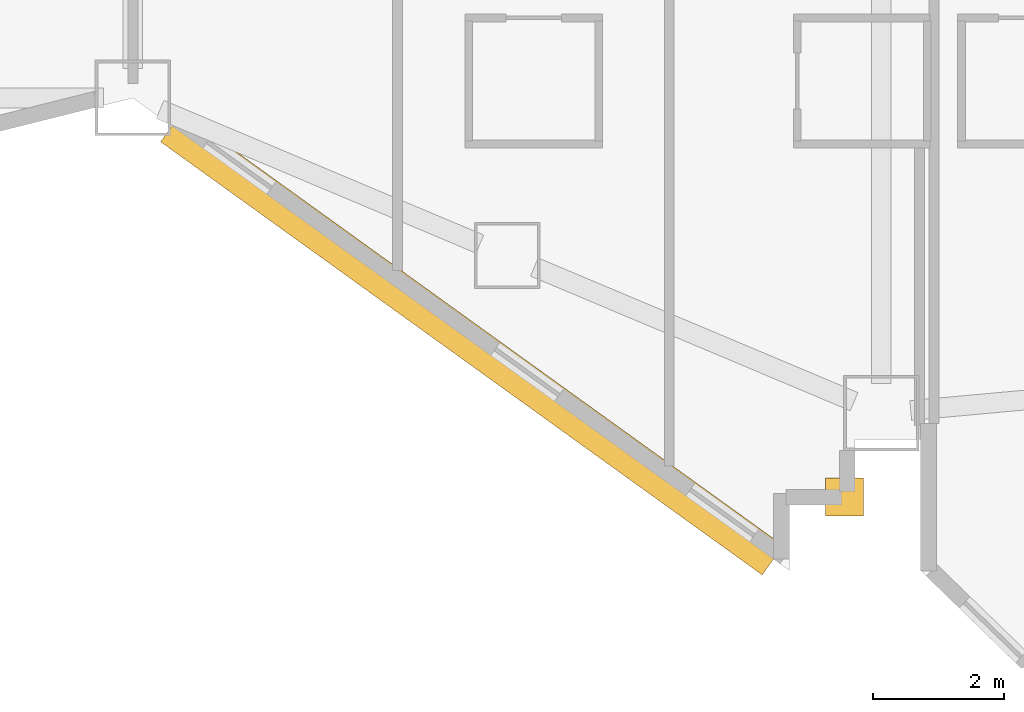
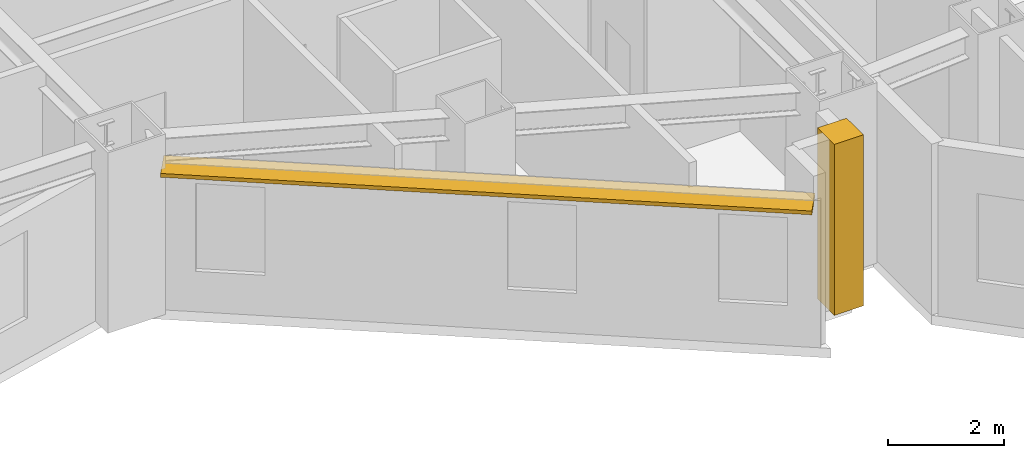
# One storey, part 16 of 18: 1 covering, 1 shading device.
"""IFC4 building model written with IfcOpenShell, lengths in metres."""

from ifc_helpers import new_model, si_unit, direction, frame, origin, origin_2d, place, context, subcontext, project, spatial, rectangle, extrude, material, layer, layer_set, type_object, element, save


model = new_model("IFC4")

# Units and contexts
model_context = context("Model", 3, precision=1e-05, world=origin(), true_north=direction((0.0, 1.0)))
body_context = subcontext(model_context, "Body", "Model", "MODEL_VIEW")
ifc_project = project(units=[si_unit("LENGTHUNIT", "METRE"), si_unit("AREAUNIT", "SQUARE_METRE"), si_unit("VOLUMEUNIT", "CUBIC_METRE"), si_unit("PLANEANGLEUNIT", "RADIAN"), si_unit("MASSUNIT", "GRAM", prefix="KILO")], contexts=[model_context])

# Site, building, storey
site_placement = place(None, origin())
site = spatial("IfcSite", under=ifc_project, at=site_placement, CompositionType="ELEMENT")
building_placement = place(site_placement, origin())
building = spatial("IfcBuilding", under=site, at=building_placement, Name="Haolan Belvedere Tower", CompositionType="ELEMENT")
storey_placement = place(building_placement, frame((0.0, 0.0, 51.39990234375)))
storey = spatial("IfcBuildingStorey", under=building, at=storey_placement, Name="L12", CompositionType="ELEMENT", Elevation=51.39990234375)

# Covering
ifc_material_1 = material(Name="Pale champagne-silver anodised aluminium rainscreen cladding", Category="aluminium")
ifc_layer_1 = layer(ifc_material_1, 0.034912109375, Name="Pale champagne-silver anodised aluminium rainscreen cladding")
ifc_layer_set_1 = layer_set([ifc_layer_1], Name="Pale champagne-silver anodised aluminium rainscreen cladding")
covering_type = type_object("IfcCoveringType", Name="COV-CLAD-35", PredefinedType="CLADDING", material=ifc_layer_set_1)
covering_placement = place(storey_placement, frame((63.637451171875, 15.52001953125, 0.0), z_axis=(0.0, 0.0, 1.0), x_axis=(1.0, 0.0, 0.0)))
element("IfcCovering", 1, at=covering_placement, inside=storey, type_object=covering_type, Name="L12 pale-metal serrated corner cladding trim 4", PredefinedType="CLADDING", context=body_context, shape_type="SweptSolid", body=[
    extrude(rectangle(XDim=0.580078125, YDim=0.580078125, at=origin_2d()), origin(), (0.0, 0.0, 1.0), 3.60009765625),
])

# Shading device
ifc_material_2 = material(Name="Anodised champagne-silver aluminium 6063-T6", Category="aluminium")
ifc_layer_2 = layer(ifc_material_2, 0.080078125, Name="Anodised champagne-silver aluminium 6063-T6")
ifc_layer_set_2 = layer_set([ifc_layer_2], Name="Anodised champagne-silver aluminium 6063-T6")
shading_device_type = type_object("IfcShadingDeviceType", Name="SHD-SUN-550", PredefinedType="USERDEFINED", material=ifc_layer_set_2)
shading_device_placement = place(storey_placement, frame((57.964111328125, 17.857421875, 2.9970703125), z_axis=(0.0, 0.0, 1.0), x_axis=(0.811533191666, -0.584306322766, 0.0)))
element("IfcShadingDevice", 2, at=shading_device_placement, inside=storey, type_object=shading_device_type, Name="L12 pale-metal horizontal SUNSHADE band 15.1", ObjectType="SUNSHADE", PredefinedType="USERDEFINED", context=body_context, shape_type="SweptSolid", body=[
    extrude(rectangle(XDim=11.290771484375, YDim=0.550048828125, at=origin_2d()), origin(), (0.0, 0.0, 1.0), 0.080078125),
])

save(model, "model.ifc")
